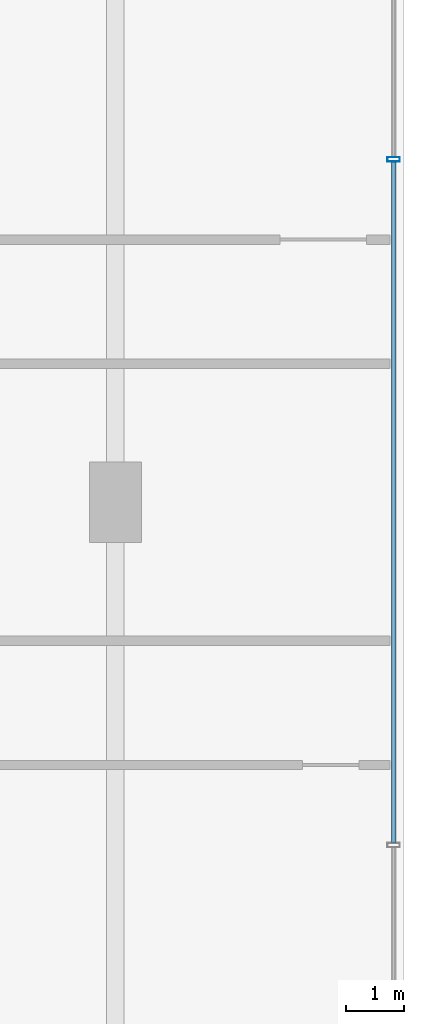
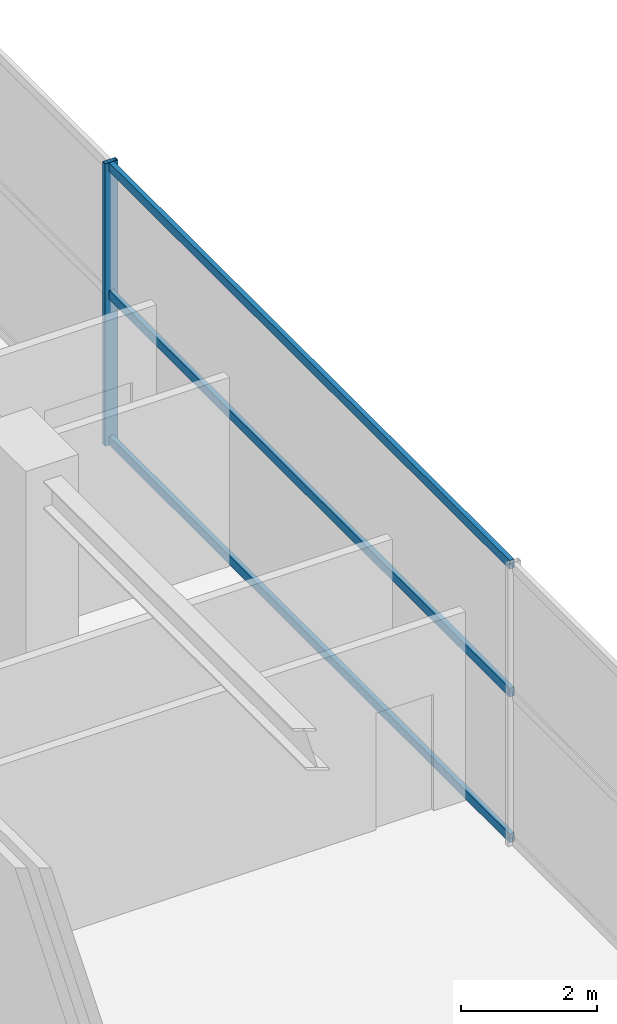
# One storey, part 23 of 32: 4 members, 1 element without a shape of its own.
"""IFC4 building model written with IfcOpenShell, lengths in metres."""

from ifc_helpers import new_model, si_unit, direction, frame, origin, origin_2d, place, context, subcontext, project, spatial, hollow_rectangle, extrude, source, transform, mapped, material, material_profile, profile_set, type_object, element, aggregate, save


model = new_model("IFC4")

# Units and contexts
model_context = context("Model", 3, precision=1e-05, world=origin(), true_north=direction((0.0, 1.0)))
body_context = subcontext(model_context, "Body", "Model", "MODEL_VIEW")
ifc_project = project(units=[si_unit("LENGTHUNIT", "METRE"), si_unit("AREAUNIT", "SQUARE_METRE"), si_unit("VOLUMEUNIT", "CUBIC_METRE"), si_unit("PLANEANGLEUNIT", "RADIAN"), si_unit("MASSUNIT", "GRAM", prefix="KILO")], contexts=[model_context])

# Site, building, storey
site_placement = place(None, origin())
site = spatial("IfcSite", under=ifc_project, at=site_placement, CompositionType="ELEMENT")
building_placement = place(site_placement, origin())
building = spatial("IfcBuilding", under=site, at=building_placement, Name="Nahalor Promenade Grand Hotel", CompositionType="ELEMENT")
storey_placement = place(building_placement, frame((0.0, 0.0, 5.39990234375)))
storey = spatial("IfcBuildingStorey", under=building, at=storey_placement, Name="L01", CompositionType="ELEMENT", Elevation=5.39990234375)

# Curtain wall, members
ifc_material = material(Name="Anodised Bronze Aluminium EN AW-6063 T6", Category="aluminium")
curtain_wall_type = type_object("IfcCurtainWallType", Name="CW1 Waterfront Podium Bronze Arcade Curtain Wall", PredefinedType="USERDEFINED", material=ifc_material)
curtain_wall_placement = place(storey_placement, origin())
curtain_wall = element("IfcCurtainWall", 1, at=curtain_wall_placement, inside=storey, type_object=curtain_wall_type, Name="L01 Curtain Wall CW-L01-E", ObjectType="UNITISED_CURTAIN_WALL", PredefinedType="USERDEFINED")
ifc_material_profile_1 = material_profile(ifc_material, hollow_rectangle(XDim=0.08, YDim=0.22, WallThickness=0.005, at=origin_2d()), Name="CWM 80x220x5")
ifc_profile_set_1 = profile_set([ifc_material_profile_1], Name="Anodised Bronze Aluminium EN AW-6063 T6")
member_type_1 = type_object("IfcMemberType", Name="CWM1 Podium Bronze Mullion 80x220", PredefinedType="MULLION", material=ifc_profile_set_1)
shared_shape_1 = source(origin(), body_context, "Body", "SweptSolid", [
    extrude(hollow_rectangle(XDim=0.08, YDim=0.22, WallThickness=0.005, at=origin_2d()), origin(), (0.0, 0.0, 1.0), 5.080078125),
])
member_1_placement = place(storey_placement, frame((37.820068359375, 5.93994140625, 0.0), z_axis=(0.0, 0.0, 1.0), x_axis=(0.0, 1.0, 0.0)))
member_1 = element("IfcMember", 2, at=member_1_placement, type_object=member_type_1, Name="CW-L01-E Mullion 2", PredefinedType="MULLION", context=body_context, shape_type="MappedRepresentation", body=[
    mapped(shared_shape_1, transform((0.0, 0.0, 0.0), scale=1.0)),
])
ifc_material_profile_2 = material_profile(ifc_material, hollow_rectangle(XDim=0.08, YDim=0.16, WallThickness=0.004, at=origin_2d()), Name="CWT 80x160x4")
ifc_profile_set_2 = profile_set([ifc_material_profile_2], Name="Anodised Bronze Aluminium EN AW-6063 T6")
member_type_2 = type_object("IfcMemberType", Name="CWT1 Podium Bronze Transom 80x160", PredefinedType="USERDEFINED", material=ifc_profile_set_2)
shared_shape_2 = source(origin(), body_context, "Body", "SweptSolid", [
    extrude(hollow_rectangle(XDim=0.08, YDim=0.16, WallThickness=0.004, at=origin_2d()), origin(), (0.0, 0.0, 1.0), 11.7998046875),
])
member_2_placement = place(storey_placement, frame((37.820068359375, -5.89990234375, 0.080078125), z_axis=(0.0, 1.0, 0.0), x_axis=(-1.0, 0.0, 0.0)))
member_2 = element("IfcMember", 3, at=member_2_placement, type_object=member_type_2, Name="CW-L01-E Transom 1-0", ObjectType="TRANSOM", PredefinedType="USERDEFINED", context=body_context, shape_type="MappedRepresentation", body=[
    mapped(shared_shape_2, transform((0.0, 0.0, 0.0), scale=1.0)),
])
member_3_placement = place(storey_placement, frame((37.820068359375, -5.89990234375, 2.7001953125), z_axis=(0.0, 1.0, 0.0), x_axis=(-1.0, 0.0, 0.0)))
member_3 = element("IfcMember", 4, at=member_3_placement, type_object=member_type_2, Name="CW-L01-E Transom 1-1", ObjectType="TRANSOM", PredefinedType="USERDEFINED", context=body_context, shape_type="MappedRepresentation", body=[
    mapped(shared_shape_2, transform((0.0, 0.0, 0.0), scale=1.0)),
])
member_4_placement = place(storey_placement, frame((37.820068359375, -5.89990234375, 5.0), z_axis=(0.0, 1.0, 0.0), x_axis=(-1.0, 0.0, 0.0)))
member_4 = element("IfcMember", 5, at=member_4_placement, type_object=member_type_2, Name="CW-L01-E Transom 1-2", ObjectType="TRANSOM", PredefinedType="USERDEFINED", context=body_context, shape_type="MappedRepresentation", body=[
    mapped(shared_shape_2, transform((0.0, 0.0, 0.0), scale=1.0)),
])
aggregate(curtain_wall, [member_1, member_2, member_3, member_4])

save(model, "model.ifc")
